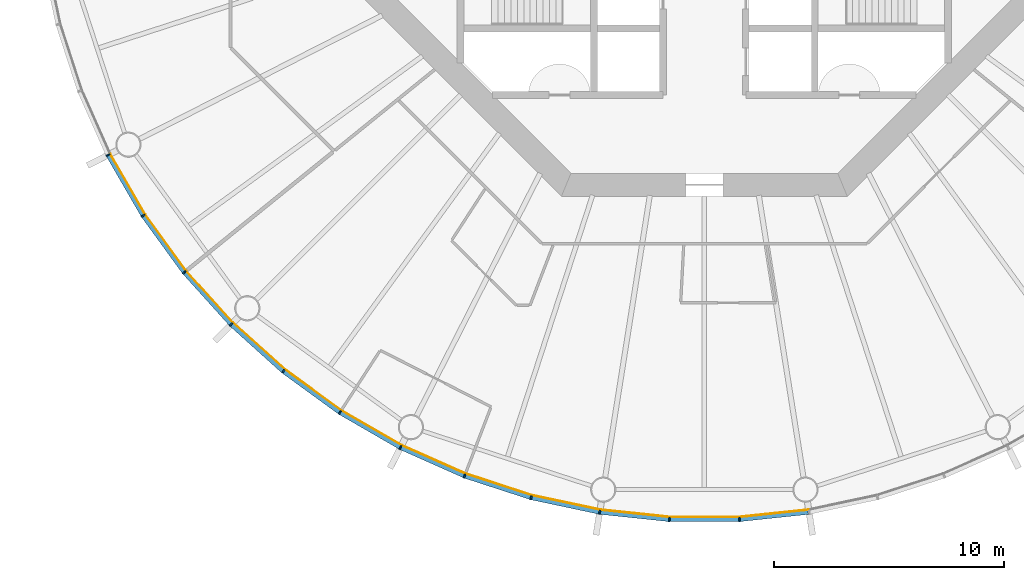
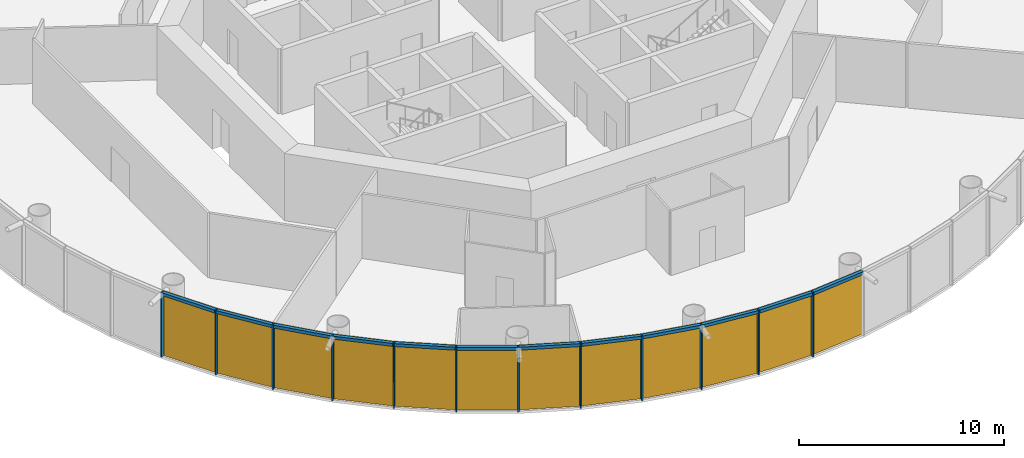
# One storey, part 6 of 12: 24 members, 4 curtain walls.
"""IFC4 building model written with IfcOpenShell, lengths in metres."""

from ifc_helpers import new_model, si_unit, direction, frame, origin, origin_2d, place, context, subcontext, project, spatial, polyline, rectangle, outline, extrude, material, layer, layer_set, material_profile, profile_set, type_object, element, aggregate, save


model = new_model("IFC4")

# Units and contexts
model_context = context("Model", 3, precision=1e-05, world=origin(), true_north=direction((0.0, 1.0)))
body_context = subcontext(model_context, "Body", "Model", "MODEL_VIEW")
ifc_project = project(units=[si_unit("LENGTHUNIT", "METRE"), si_unit("AREAUNIT", "SQUARE_METRE"), si_unit("VOLUMEUNIT", "CUBIC_METRE"), si_unit("PLANEANGLEUNIT", "RADIAN"), si_unit("MASSUNIT", "GRAM", prefix="KILO")], contexts=[model_context])

# Member
ifc_material_1 = material(Name="Anodised aluminium", Category="aluminium")
ifc_material_profile_1 = material_profile(ifc_material_1, rectangle(XDim=0.06494140625, YDim=0.18505859375, at=origin_2d()), Name="Mullion 65 x 185 mm anodised aluminium")
ifc_profile_set_1 = profile_set([ifc_material_profile_1], Name="Anodised aluminium")
member_type_1 = type_object("IfcMemberType", Name="Mullion 65 x 185 mm anodised aluminium", PredefinedType="MULLION", material=ifc_profile_set_1)
site_placement = place(None, origin())
building_placement = place(site_placement, origin())
storey_placement = place(building_placement, frame((0.0, 0.0, 196.0)))
member_1_placement = place(storey_placement, frame((64.078369140625, 66.792236328125, 0.0), z_axis=(0.0, 0.0, 1.0), x_axis=(0.45399049974, -0.891006524188, 0.0)))
member_1 = element("IfcMember", 1, at=member_1_placement, type_object=member_type_1, Name="MULLION L45-33", PredefinedType="MULLION", context=body_context, shape_type="SweptSolid", body=[
    extrude(rectangle(XDim=0.06494140625, YDim=0.18505859375, at=origin_2d()), origin(), (0.0, 0.0, 1.0), 3.85009765625),
])

member_2_placement = place(storey_placement, frame((65.60107421875, 64.155029296875, 0.0), z_axis=(0.0, 0.0, 1.0), x_axis=(0.544639035015, -0.838670567945, 0.0)))
member_2 = element("IfcMember", 2, at=member_2_placement, type_object=member_type_1, Name="MULLION L45-34", PredefinedType="MULLION", context=body_context, shape_type="SweptSolid", body=[
    extrude(rectangle(XDim=0.06494140625, YDim=0.18505859375, at=origin_2d()), origin(), (0.0, 0.0, 1.0), 3.85009765625),
])

member_3_placement = place(storey_placement, frame((67.390869140625, 61.69140625, 0.0), z_axis=(0.0, 0.0, 1.0), x_axis=(0.62932039105, -0.777145961457, 0.0)))
member_3 = element("IfcMember", 3, at=member_3_placement, type_object=member_type_1, Name="MULLION L45-35", PredefinedType="MULLION", context=body_context, shape_type="SweptSolid", body=[
    extrude(rectangle(XDim=0.06494140625, YDim=0.18505859375, at=origin_2d()), origin(), (0.0, 0.0, 1.0), 3.85009765625),
])

member_4_placement = place(storey_placement, frame((69.428466796875, 59.428466796875, 0.0), z_axis=(0.0, 0.0, 1.0), x_axis=(0.707106781187, -0.707106781187, 0.0)))
member_4 = element("IfcMember", 4, at=member_4_placement, type_object=member_type_1, Name="MULLION L45-36", PredefinedType="MULLION", context=body_context, shape_type="SweptSolid", body=[
    extrude(rectangle(XDim=0.06494140625, YDim=0.18505859375, at=origin_2d()), origin(), (0.0, 0.0, 1.0), 3.85009765625),
])

member_5_placement = place(storey_placement, frame((71.69140625, 57.390869140625, 0.0), z_axis=(0.0, 0.0, 1.0), x_axis=(0.777145961457, -0.62932039105, 0.0)))
member_5 = element("IfcMember", 5, at=member_5_placement, type_object=member_type_1, Name="MULLION L45-37", PredefinedType="MULLION", context=body_context, shape_type="SweptSolid", body=[
    extrude(rectangle(XDim=0.06494140625, YDim=0.18505859375, at=origin_2d()), origin(), (0.0, 0.0, 1.0), 3.85009765625),
])

member_6_placement = place(storey_placement, frame((74.155029296875, 55.60107421875, 0.0), z_axis=(0.0, 0.0, 1.0), x_axis=(0.838670567945, -0.544639035015, 0.0)))
member_6 = element("IfcMember", 6, at=member_6_placement, type_object=member_type_1, Name="MULLION L45-38", PredefinedType="MULLION", context=body_context, shape_type="SweptSolid", body=[
    extrude(rectangle(XDim=0.06494140625, YDim=0.18505859375, at=origin_2d()), origin(), (0.0, 0.0, 1.0), 3.85009765625),
])

member_7_placement = place(storey_placement, frame((76.792236328125, 54.078369140625, 0.0), z_axis=(0.0, 0.0, 1.0), x_axis=(0.891006524188, -0.45399049974, 0.0)))
member_7 = element("IfcMember", 7, at=member_7_placement, type_object=member_type_1, Name="MULLION L45-39", PredefinedType="MULLION", context=body_context, shape_type="SweptSolid", body=[
    extrude(rectangle(XDim=0.06494140625, YDim=0.18505859375, at=origin_2d()), origin(), (0.0, 0.0, 1.0), 3.85009765625),
])

member_8_placement = place(storey_placement, frame((79.57421875, 52.83984375, 0.0), z_axis=(0.0, 0.0, 1.0), x_axis=(0.933580426497, -0.358367949545, 0.0)))
member_8 = element("IfcMember", 8, at=member_8_placement, type_object=member_type_1, Name="MULLION L45-40", PredefinedType="MULLION", context=body_context, shape_type="SweptSolid", body=[
    extrude(rectangle(XDim=0.06494140625, YDim=0.18505859375, at=origin_2d()), origin(), (0.0, 0.0, 1.0), 3.85009765625),
])

member_9_placement = place(storey_placement, frame((82.47021484375, 51.898681640625, 0.0), z_axis=(0.0, 0.0, 1.0), x_axis=(0.965925826289, -0.258819045103, 0.0)))
member_9 = element("IfcMember", 9, at=member_9_placement, type_object=member_type_1, Name="MULLION L45-41", PredefinedType="MULLION", context=body_context, shape_type="SweptSolid", body=[
    extrude(rectangle(XDim=0.06494140625, YDim=0.18505859375, at=origin_2d()), origin(), (0.0, 0.0, 1.0), 3.85009765625),
])

member_10_placement = place(storey_placement, frame((85.448974609375, 51.265625, 0.0), z_axis=(0.0, 0.0, 1.0), x_axis=(0.987688340595, -0.15643446504, 0.0)))
member_10 = element("IfcMember", 10, at=member_10_placement, type_object=member_type_1, Name="MULLION L45-42", PredefinedType="MULLION", context=body_context, shape_type="SweptSolid", body=[
    extrude(rectangle(XDim=0.06494140625, YDim=0.18505859375, at=origin_2d()), origin(), (0.0, 0.0, 1.0), 3.85009765625),
])

member_11_placement = place(storey_placement, frame((88.477294921875, 50.947265625, 0.0), z_axis=(0.0, 0.0, 1.0), x_axis=(0.998629534755, -0.052335956243, 0.0)))
member_11 = element("IfcMember", 11, at=member_11_placement, type_object=member_type_1, Name="MULLION L45-43", PredefinedType="MULLION", context=body_context, shape_type="SweptSolid", body=[
    extrude(rectangle(XDim=0.06494140625, YDim=0.18505859375, at=origin_2d()), origin(), (0.0, 0.0, 1.0), 3.85009765625),
])

member_12_placement = place(storey_placement, frame((91.522705078125, 50.947265625, 0.0), z_axis=(0.0, 0.0, 1.0), x_axis=(0.998629534755, 0.052335956243, 0.0)))
member_12 = element("IfcMember", 12, at=member_12_placement, type_object=member_type_1, Name="MULLION L45-44", PredefinedType="MULLION", context=body_context, shape_type="SweptSolid", body=[
    extrude(rectangle(XDim=0.06494140625, YDim=0.18505859375, at=origin_2d()), origin(), (0.0, 0.0, 1.0), 3.85009765625),
])

ifc_material_2 = material(Name="Anodised aluminium", Category="aluminium")
ifc_material_profile_2 = material_profile(ifc_material_2, rectangle(XDim=0.18505859375, YDim=0.175048828125, at=origin_2d()), Name="Transom 175 x 185 mm anodised aluminium")
ifc_profile_set_2 = profile_set([ifc_material_profile_2], Name="Anodised aluminium")
member_type_2 = type_object("IfcMemberType", Name="Transom 175 x 185 mm anodised aluminium", PredefinedType="USERDEFINED", material=ifc_profile_set_2)
member_13_placement = place(storey_placement, frame((64.096923828125, 66.759765625, 3.762451171875), z_axis=(0.500028367561, -0.866009025146, 0.0), x_axis=(0.866009025146, 0.500028367561, 0.0)))
member_13 = element("IfcMember", 13, at=member_13_placement, type_object=member_type_2, Name="TRANSOM L45-33", ObjectType="TRANSOM", PredefinedType="USERDEFINED", context=body_context, shape_type="SweptSolid", body=[
    extrude(rectangle(XDim=0.18505859375, YDim=0.175048828125, at=origin_2d()), origin(), (0.0, 0.0, 1.0), 2.970458984375),
])

member_14_placement = place(storey_placement, frame((65.622802734375, 64.124755859375, 3.762451171875), z_axis=(0.587819781808, -0.808991906087, 0.0), x_axis=(0.808991906087, 0.587819781808, 0.0)))
member_14 = element("IfcMember", 14, at=member_14_placement, type_object=member_type_2, Name="TRANSOM L45-34", ObjectType="TRANSOM", PredefinedType="USERDEFINED", context=body_context, shape_type="SweptSolid", body=[
    extrude(rectangle(XDim=0.18505859375, YDim=0.175048828125, at=origin_2d()), origin(), (0.0, 0.0, 1.0), 2.970458984375),
])

member_15_placement = place(storey_placement, frame((67.415771484375, 61.66357421875, 3.762451171875), z_axis=(0.669110027395, -0.743163354343, 0.0), x_axis=(0.743163354343, 0.669110027395, 0.0)))
member_15 = element("IfcMember", 15, at=member_15_placement, type_object=member_type_2, Name="TRANSOM L45-35", ObjectType="TRANSOM", PredefinedType="USERDEFINED", context=body_context, shape_type="SweptSolid", body=[
    extrude(rectangle(XDim=0.18505859375, YDim=0.175048828125, at=origin_2d()), origin(), (0.0, 0.0, 1.0), 2.970458984375),
])

member_16_placement = place(storey_placement, frame((69.4560546875, 59.4033203125, 3.762451171875), z_axis=(0.743163354343, -0.669110027395, 0.0), x_axis=(0.669110027395, 0.743163354343, 0.0)))
member_16 = element("IfcMember", 16, at=member_16_placement, type_object=member_type_2, Name="TRANSOM L45-36", ObjectType="TRANSOM", PredefinedType="USERDEFINED", context=body_context, shape_type="SweptSolid", body=[
    extrude(rectangle(XDim=0.18505859375, YDim=0.175048828125, at=origin_2d()), origin(), (0.0, 0.0, 1.0), 2.970458984375),
])

member_17_placement = place(storey_placement, frame((71.7216796875, 57.368896484375, 3.762451171875), z_axis=(0.808991906087, -0.587819781808, 0.0), x_axis=(0.587819781808, 0.808991906087, 0.0)))
member_17 = element("IfcMember", 17, at=member_17_placement, type_object=member_type_2, Name="TRANSOM L45-37", ObjectType="TRANSOM", PredefinedType="USERDEFINED", context=body_context, shape_type="SweptSolid", body=[
    extrude(rectangle(XDim=0.18505859375, YDim=0.175048828125, at=origin_2d()), origin(), (0.0, 0.0, 1.0), 2.970458984375),
])

member_18_placement = place(storey_placement, frame((74.187255859375, 55.582275390625, 3.762451171875), z_axis=(0.866009025146, -0.500028367561, 0.0), x_axis=(0.500028367561, 0.866009025146, 0.0)))
member_18 = element("IfcMember", 18, at=member_18_placement, type_object=member_type_2, Name="TRANSOM L45-38", ObjectType="TRANSOM", PredefinedType="USERDEFINED", context=body_context, shape_type="SweptSolid", body=[
    extrude(rectangle(XDim=0.18505859375, YDim=0.175048828125, at=origin_2d()), origin(), (0.0, 0.0, 1.0), 2.970458984375),
])

member_19_placement = place(storey_placement, frame((76.826416015625, 54.06298828125, 3.762451171875), z_axis=(0.913567348806, -0.406687471156, 0.0), x_axis=(0.406687471156, 0.913567348806, 0.0)))
member_19 = element("IfcMember", 19, at=member_19_placement, type_object=member_type_2, Name="TRANSOM L45-39", ObjectType="TRANSOM", PredefinedType="USERDEFINED", context=body_context, shape_type="SweptSolid", body=[
    extrude(rectangle(XDim=0.18505859375, YDim=0.175048828125, at=origin_2d()), origin(), (0.0, 0.0, 1.0), 2.970458984375),
])

member_20_placement = place(storey_placement, frame((79.609619140625, 52.828125, 3.762451171875), z_axis=(0.951055809184, -0.30901917063, 0.0), x_axis=(0.30901917063, 0.951055809184, 0.0)))
member_20 = element("IfcMember", 20, at=member_20_placement, type_object=member_type_2, Name="TRANSOM L45-40", ObjectType="TRANSOM", PredefinedType="USERDEFINED", context=body_context, shape_type="SweptSolid", body=[
    extrude(rectangle(XDim=0.18505859375, YDim=0.175048828125, at=origin_2d()), origin(), (0.0, 0.0, 1.0), 2.970703125),
])

member_21_placement = place(storey_placement, frame((82.5068359375, 51.890869140625, 3.762451171875), z_axis=(0.97815822425, -0.207861704825, 0.0), x_axis=(0.207861704825, 0.97815822425, 0.0)))
member_21 = element("IfcMember", 21, at=member_21_placement, type_object=member_type_2, Name="TRANSOM L45-41", ObjectType="TRANSOM", PredefinedType="USERDEFINED", context=body_context, shape_type="SweptSolid", body=[
    extrude(rectangle(XDim=0.18505859375, YDim=0.175048828125, at=origin_2d()), origin(), (0.0, 0.0, 1.0), 2.970458984375),
])

member_22_placement = place(storey_placement, frame((85.486083984375, 51.26171875, 3.762451171875), z_axis=(0.994519855197, -0.104547872381, 0.0), x_axis=(0.104547872381, 0.994519855197, 0.0)))
member_22 = element("IfcMember", 22, at=member_22_placement, type_object=member_type_2, Name="TRANSOM L45-42", ObjectType="TRANSOM", PredefinedType="USERDEFINED", context=body_context, shape_type="SweptSolid", body=[
    extrude(rectangle(XDim=0.18505859375, YDim=0.175048828125, at=origin_2d()), origin(), (0.0, 0.0, 1.0), 2.970458984375),
])

member_23_placement = place(storey_placement, frame((88.5146484375, 50.947265625, 3.762451171875), z_axis=(1.0, 0.0, 0.0), x_axis=(0.0, 1.0, 0.0)))
member_23 = element("IfcMember", 23, at=member_23_placement, type_object=member_type_2, Name="TRANSOM L45-43", ObjectType="TRANSOM", PredefinedType="USERDEFINED", context=body_context, shape_type="SweptSolid", body=[
    extrude(rectangle(XDim=0.18505859375, YDim=0.175048828125, at=origin_2d()), origin(), (0.0, 0.0, 1.0), 2.970703125),
])

member_24_placement = place(storey_placement, frame((91.559814453125, 50.951171875, 3.762451171875), z_axis=(0.994519855197, 0.104547872381, 0.0), x_axis=(-0.104547872381, 0.994519855197, 0.0)))
member_24 = element("IfcMember", 24, at=member_24_placement, type_object=member_type_2, Name="TRANSOM L45-44", ObjectType="TRANSOM", PredefinedType="USERDEFINED", context=body_context, shape_type="SweptSolid", body=[
    extrude(rectangle(XDim=0.18505859375, YDim=0.175048828125, at=origin_2d()), origin(), (0.0, 0.0, 1.0), 2.970458984375),
])

# Site, building, storey
site = spatial("IfcSite", under=ifc_project, at=site_placement, CompositionType="ELEMENT")
building = spatial("IfcBuilding", under=site, at=building_placement, Name="Entoto Ring Tower", CompositionType="ELEMENT")
storey = spatial("IfcBuildingStorey", under=building, at=storey_placement, Name="L45", CompositionType="ELEMENT", Elevation=196.0)

# Curtain wall
ifc_material_3 = material(Name="Clear low-iron glass", Category="glass")
ifc_layer = layer(ifc_material_3, 0.033935546875)
ifc_layer_set = layer_set([ifc_layer], Name="Clear low-iron glass")
curtain_wall_type = type_object("IfcCurtainWallType", Name="Curtain wall system CW3 glazing 34 mm", PredefinedType="NOTDEFINED", material=ifc_layer_set)
curtain_wall_1_placement = place(storey_placement, origin())
curtain_wall_1 = element("IfcCurtainWall", 25, at=curtain_wall_1_placement, inside=storey, type_object=curtain_wall_type, Name="CW3 L45-12", PredefinedType="NOTDEFINED", context=body_context, shape_type="SweptSolid", body=[
    extrude(outline(polyline([(64.160888671875, 66.834228515625), (65.678466796875, 64.20556640625), (67.462646484375, 61.749755859375), (69.493896484375, 59.493896484375), (69.51806640625, 59.51806640625), (67.4892578125, 61.771240234375), (65.70703125, 64.22412109375), (64.191162109375, 66.849853515625), (64.160888671875, 66.834228515625)])), origin(), (0.0, 0.0, 1.0), 3.85009765625),
])

aggregate(curtain_wall_1, [member_1, member_2, member_3, member_13, member_14, member_15])

curtain_wall_2_placement = place(storey_placement, origin())
curtain_wall_2 = element("IfcCurtainWall", 26, at=curtain_wall_2_placement, inside=storey, type_object=curtain_wall_type, Name="CW3 L45-13", PredefinedType="NOTDEFINED", context=body_context, shape_type="SweptSolid", body=[
    extrude(outline(polyline([(69.493896484375, 59.493896484375), (71.749755859375, 57.462646484375), (74.20556640625, 55.678466796875), (76.834228515625, 54.160888671875), (76.849853515625, 54.191162109375), (74.22412109375, 55.70703125), (71.771240234375, 57.4892578125), (69.51806640625, 59.51806640625), (69.493896484375, 59.493896484375)])), origin(), (0.0, 0.0, 1.0), 3.85009765625),
])

aggregate(curtain_wall_2, [member_4, member_5, member_6, member_16, member_17, member_18])

curtain_wall_3_placement = place(storey_placement, origin())
curtain_wall_3 = element("IfcCurtainWall", 27, at=curtain_wall_3_placement, inside=storey, type_object=curtain_wall_type, Name="CW3 L45-14", PredefinedType="NOTDEFINED", context=body_context, shape_type="SweptSolid", body=[
    extrude(outline(polyline([(76.834228515625, 54.160888671875), (79.607421875, 52.92626953125), (82.494140625, 51.988037109375), (85.46337890625, 51.35693359375), (85.46875, 51.390625), (82.503173828125, 52.02099609375), (79.61962890625, 52.9580078125), (76.849853515625, 54.191162109375), (76.834228515625, 54.160888671875)])), origin(), (0.0, 0.0, 1.0), 3.85009765625),
])

aggregate(curtain_wall_3, [member_7, member_8, member_9, member_19, member_20, member_21])

curtain_wall_4_placement = place(storey_placement, origin())
curtain_wall_4 = element("IfcCurtainWall", 28, at=curtain_wall_4_placement, inside=storey, type_object=curtain_wall_type, Name="CW3 L45-15", PredefinedType="NOTDEFINED", context=body_context, shape_type="SweptSolid", body=[
    extrude(outline(polyline([(85.46337890625, 51.35693359375), (88.482177734375, 51.039794921875), (91.517822265625, 51.039794921875), (94.53662109375, 51.35693359375), (94.53125, 51.390625), (91.515869140625, 51.07373046875), (88.484130859375, 51.07373046875), (85.46875, 51.390625), (85.46337890625, 51.35693359375)])), origin(), (0.0, 0.0, 1.0), 3.85009765625),
])

aggregate(curtain_wall_4, [member_10, member_11, member_12, member_22, member_23, member_24])

save(model, "model.ifc")
